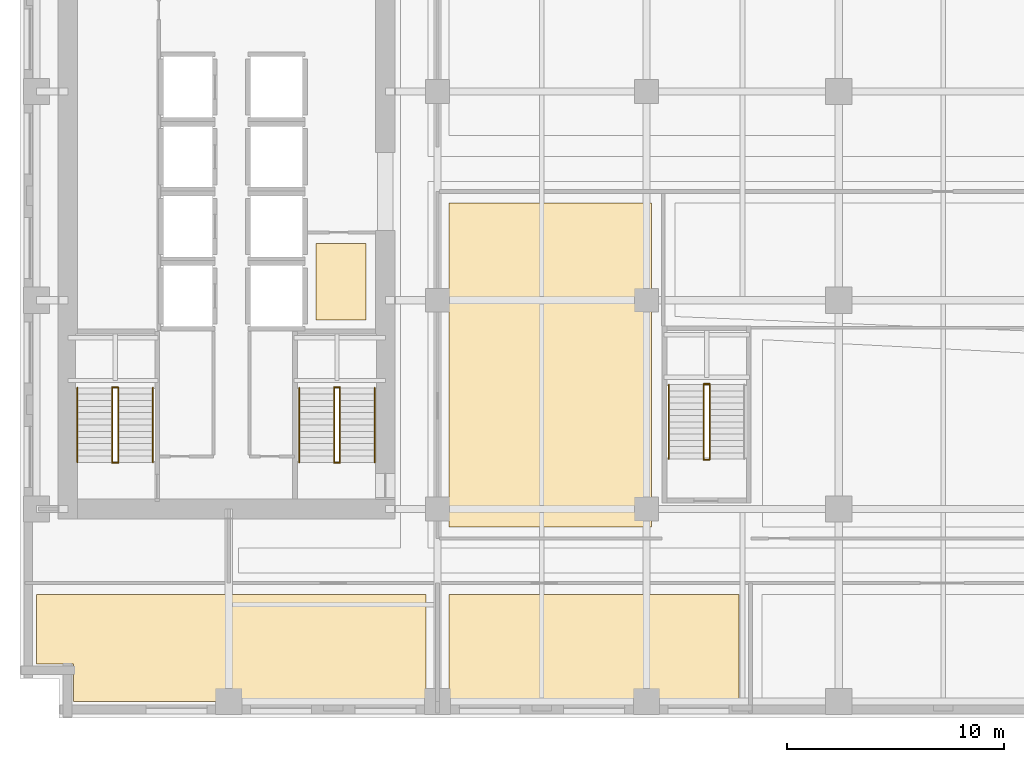
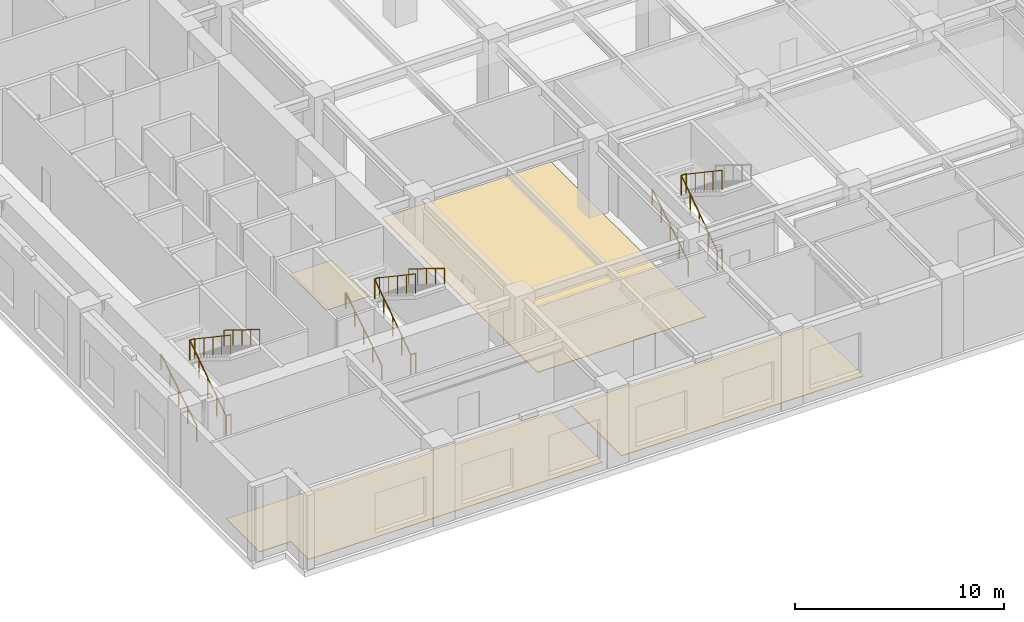
# One storey, part 17 of 21: 17 railings, 4 coverings.
"""IFC4 building model written with IfcOpenShell, lengths in metres."""

from ifc_helpers import new_model, si_unit, direction, frame, origin, origin_2d, place, context, subcontext, project, spatial, polyline, circle, outline, extrude, material, layer, layer_set, type_object, element, save


model = new_model("IFC4")

# Units and contexts
model_context = context("Model", 3, precision=1e-05, world=origin(), true_north=direction((0.0, 1.0)))
body_context = subcontext(model_context, "Body", "Model", "MODEL_VIEW")
ifc_project = project(units=[si_unit("LENGTHUNIT", "METRE"), si_unit("AREAUNIT", "SQUARE_METRE"), si_unit("VOLUMEUNIT", "CUBIC_METRE"), si_unit("PLANEANGLEUNIT", "RADIAN"), si_unit("MASSUNIT", "GRAM", prefix="KILO")], contexts=[model_context])

# Site, building, storey
site_placement = place(None, origin())
site = spatial("IfcSite", under=ifc_project, at=site_placement, CompositionType="ELEMENT")
building_placement = place(site_placement, origin())
building = spatial("IfcBuilding", under=site, at=building_placement, Name="Norrvale University Quadrangle", CompositionType="ELEMENT")
storey_placement = place(building_placement, frame((0.0, 0.0, 19.60009765625)))
storey = spatial("IfcBuildingStorey", under=building, at=storey_placement, Name="L04", CompositionType="ELEMENT", Elevation=19.60009765625)

# Coverings
ifc_material_1 = material(Name="Polished Terrazzo Flooring")
ifc_layer = layer(ifc_material_1, 0.02490234375, Name="Polished Terrazzo Flooring")
ifc_layer_set = layer_set([ifc_layer], Name="Polished Terrazzo Flooring")
covering_type = type_object("IfcCoveringType", Name="Covering Terrazzo Floor 30", PredefinedType="FLOORING", material=ifc_layer_set)
covering_1_placement = place(storey_placement, origin())
element("IfcCovering", 1, at=covering_1_placement, inside=storey, type_object=covering_type, Name="Terrazzo Flooring RM-L04-JAN", PredefinedType="FLOORING", context=body_context, shape_type="SweptSolid", body=[
    extrude(outline(polyline([(13.60009765625, 18.300048828125), (13.60009765625, 21.800048828125), (15.89990234375, 21.800048828125), (15.89990234375, 18.300048828125), (13.60009765625, 18.300048828125)])), origin(), (0.0, 0.0, 1.0), 0.02490234375),
])
covering_2_placement = place(storey_placement, origin())
element("IfcCovering", 2, at=covering_2_placement, inside=storey, type_object=covering_type, Name="Terrazzo Flooring RM-L04-S01", PredefinedType="FLOORING", context=body_context, shape_type="SweptSolid", body=[
    extrude(outline(polyline([(0.75, 5.669921875), (18.669921875, 5.669921875), (18.669921875, 0.75), (2.469970703125, 0.75), (2.469970703125, 2.469970703125), (0.75, 2.469970703125), (0.75, 5.669921875)])), origin(), (0.0, 0.0, 1.0), 0.02490234375),
])
covering_3_placement = place(storey_placement, origin())
element("IfcCovering", 3, at=covering_3_placement, inside=storey, type_object=covering_type, Name="Terrazzo Flooring RM-L04-S02", PredefinedType="FLOORING", context=body_context, shape_type="SweptSolid", body=[
    extrude(outline(polyline([(19.72998046875, 5.669921875), (33.070068359375, 5.669921875), (33.070068359375, 0.75), (19.72998046875, 0.75), (19.72998046875, 5.669921875)])), origin(), (0.0, 0.0, 1.0), 0.02490234375),
])
covering_4_placement = place(storey_placement, origin())
element("IfcCovering", 4, at=covering_4_placement, inside=storey, type_object=covering_type, Name="Terrazzo Flooring RM-L04-IW1", PredefinedType="FLOORING", context=body_context, shape_type="SweptSolid", body=[
    extrude(outline(polyline([(19.72998046875, 8.780029296875), (19.72998046875, 23.669921875), (29.050048828125, 23.669921875), (29.050048828125, 8.780029296875), (19.72998046875, 8.780029296875)])), origin(), (0.0, 0.0, 1.0), 0.02490234375),
])

# Railings
ifc_material_2 = material(Name="Steel 350W Painted Balustrade", Category="steel")
railing_type_1 = type_object("IfcRailingType", Name="Railing Stair Guard 1100", PredefinedType="GUARDRAIL", material=ifc_material_2)
for number, where, name in (
    (5, (4.239990234375, 11.719970703125, 0.0), "Stair Floor Well Guard ST-01 L04"),
    (6, (4.239990234375, 15.199951171875, 2.2998046875), "Stair Mid-Landing Slot Guard ST-01 L04"),
):
    element("IfcRailing", number, at=place(storey_placement, frame(where)), inside=storey, type_object=railing_type_1, Name=name, PredefinedType="GUARDRAIL", context=body_context, shape_type="SweptSolid", body=[
        extrude(circle(Radius=0.02392578125, at=origin_2d()), frame((0.0, 0.0, 1.1259765625), z_axis=(1.0, 0.0, 0.0), x_axis=(0.0, 1.0, 0.0)), (0.0, 0.0, 1.0), 0.27001953125),
        extrude(circle(Radius=0.02099609375, at=origin_2d()), origin(), (0.0, 0.0, 1.0), 1.101806640625),
        extrude(circle(Radius=0.02099609375, at=origin_2d()), frame((0.27001953125, 0.0, 0.0)), (0.0, 0.0, 1.0), 1.101806640625),
    ])
railing_1_placement = place(storey_placement, frame((4.239990234375, 11.75, 0.0)))
element("IfcRailing", 7, at=railing_1_placement, inside=storey, type_object=railing_type_1, Name="Stair Lower Flight Inner Guard ST-01 L04", PredefinedType="GUARDRAIL", context=body_context, shape_type="SweptSolid", body=[
    extrude(circle(Radius=0.02392578125, at=origin_2d()), frame((0.0, 0.0, 1.1259765625), z_axis=(0.0, 0.829819867432, 0.558031350029), x_axis=(-1.0, 0.0, 0.0)), (0.0, 0.0, 1.0), 4.121337890625),
    extrude(circle(Radius=0.02099609375, at=origin_2d()), origin(), (0.0, 0.0, 1.0), 1.101806640625),
    extrude(circle(Radius=0.02099609375, at=origin_2d()), frame((0.0, 0.85498046875, 0.574951171875)), (0.0, 0.0, 1.0), 1.101806640625),
    extrude(circle(Radius=0.02099609375, at=origin_2d()), frame((0.0, 1.7099609375, 1.14990234375)), (0.0, 0.0, 1.0), 1.101806640625),
    extrude(circle(Radius=0.02099609375, at=origin_2d()), frame((0.0, 2.56494140625, 1.724853515625)), (0.0, 0.0, 1.0), 1.101806640625),
    extrude(circle(Radius=0.02099609375, at=origin_2d()), frame((0.0, 3.419921875, 2.2998046875)), (0.0, 0.0, 1.0), 1.101806640625),
])
railing_2_placement = place(storey_placement, frame((4.510009765625, 15.169921875, 2.2998046875)))
element("IfcRailing", 8, at=railing_2_placement, inside=storey, type_object=railing_type_1, Name="Stair Upper Flight Inner Guard ST-01 L04", PredefinedType="GUARDRAIL", context=body_context, shape_type="SweptSolid", body=[
    extrude(circle(Radius=0.02392578125, at=origin_2d()), frame((0.0, 0.0, 1.1259765625), z_axis=(0.0, -0.8297924358, 0.55807214004), x_axis=(1.0, 0.0, 0.0)), (0.0, 0.0, 1.0), 4.121337890625),
    extrude(circle(Radius=0.02099609375, at=origin_2d()), origin(), (0.0, 0.0, 1.0), 1.101806640625),
    extrude(circle(Radius=0.02099609375, at=origin_2d()), frame((0.0, -0.85498046875, 0.574951171875)), (0.0, 0.0, 1.0), 1.101806640625),
    extrude(circle(Radius=0.02099609375, at=origin_2d()), frame((0.0, -1.7099609375, 1.14990234375)), (0.0, 0.0, 1.0), 1.101806640625),
    extrude(circle(Radius=0.02099609375, at=origin_2d()), frame((0.0, -2.56494140625, 1.72509765625)), (0.0, 0.0, 1.0), 1.101806640625),
    extrude(circle(Radius=0.02099609375, at=origin_2d()), frame((0.0, -3.419921875, 2.300048828125)), (0.0, 0.0, 1.0), 1.101806640625),
])
for number, where, name in (
    (9, (14.43994140625, 11.719970703125, 0.0), "Stair Floor Well Guard ST-03 L04"),
    (10, (14.43994140625, 15.199951171875, 2.2998046875), "Stair Mid-Landing Slot Guard ST-03 L04"),
):
    element("IfcRailing", number, at=place(storey_placement, frame(where)), inside=storey, type_object=railing_type_1, Name=name, PredefinedType="GUARDRAIL", context=body_context, shape_type="SweptSolid", body=[
        extrude(circle(Radius=0.02392578125, at=origin_2d()), frame((0.0, 0.0, 1.1259765625), z_axis=(1.0, 0.0, 0.0), x_axis=(0.0, 1.0, 0.0)), (0.0, 0.0, 1.0), 0.27001953125),
        extrude(circle(Radius=0.02099609375, at=origin_2d()), origin(), (0.0, 0.0, 1.0), 1.101806640625),
        extrude(circle(Radius=0.02099609375, at=origin_2d()), frame((0.27001953125, 0.0, 0.0)), (0.0, 0.0, 1.0), 1.101806640625),
    ])
railing_3_placement = place(storey_placement, frame((14.43994140625, 11.75, 0.0)))
element("IfcRailing", 11, at=railing_3_placement, inside=storey, type_object=railing_type_1, Name="Stair Lower Flight Inner Guard ST-03 L04", PredefinedType="GUARDRAIL", context=body_context, shape_type="SweptSolid", body=[
    extrude(circle(Radius=0.02392578125, at=origin_2d()), frame((0.0, 0.0, 1.1259765625), z_axis=(0.0, 0.829819867432, 0.558031350029), x_axis=(-1.0, 0.0, 0.0)), (0.0, 0.0, 1.0), 4.121337890625),
    extrude(circle(Radius=0.02099609375, at=origin_2d()), origin(), (0.0, 0.0, 1.0), 1.101806640625),
    extrude(circle(Radius=0.02099609375, at=origin_2d()), frame((0.0, 0.85498046875, 0.574951171875)), (0.0, 0.0, 1.0), 1.101806640625),
    extrude(circle(Radius=0.02099609375, at=origin_2d()), frame((0.0, 1.7099609375, 1.14990234375)), (0.0, 0.0, 1.0), 1.101806640625),
    extrude(circle(Radius=0.02099609375, at=origin_2d()), frame((0.0, 2.56494140625, 1.724853515625)), (0.0, 0.0, 1.0), 1.101806640625),
    extrude(circle(Radius=0.02099609375, at=origin_2d()), frame((0.0, 3.419921875, 2.2998046875)), (0.0, 0.0, 1.0), 1.101806640625),
])
railing_4_placement = place(storey_placement, frame((14.7099609375, 15.169921875, 2.2998046875)))
element("IfcRailing", 12, at=railing_4_placement, inside=storey, type_object=railing_type_1, Name="Stair Upper Flight Inner Guard ST-03 L04", PredefinedType="GUARDRAIL", context=body_context, shape_type="SweptSolid", body=[
    extrude(circle(Radius=0.02392578125, at=origin_2d()), frame((0.0, 0.0, 1.1259765625), z_axis=(0.0, -0.8297924358, 0.55807214004), x_axis=(1.0, 0.0, 0.0)), (0.0, 0.0, 1.0), 4.121337890625),
    extrude(circle(Radius=0.02099609375, at=origin_2d()), origin(), (0.0, 0.0, 1.0), 1.101806640625),
    extrude(circle(Radius=0.02099609375, at=origin_2d()), frame((0.0, -0.85498046875, 0.574951171875)), (0.0, 0.0, 1.0), 1.101806640625),
    extrude(circle(Radius=0.02099609375, at=origin_2d()), frame((0.0, -1.7099609375, 1.14990234375)), (0.0, 0.0, 1.0), 1.101806640625),
    extrude(circle(Radius=0.02099609375, at=origin_2d()), frame((0.0, -2.56494140625, 1.72509765625)), (0.0, 0.0, 1.0), 1.101806640625),
    extrude(circle(Radius=0.02099609375, at=origin_2d()), frame((0.0, -3.419921875, 2.300048828125)), (0.0, 0.0, 1.0), 1.101806640625),
])
for number, where, name in (
    (13, (31.43994140625, 11.8701171875, 0.0), "Stair Floor Well Guard ST-04 L04"),
    (14, (31.43994140625, 15.35009765625, 2.2998046875), "Stair Mid-Landing Slot Guard ST-04 L04"),
):
    element("IfcRailing", number, at=place(storey_placement, frame(where)), inside=storey, type_object=railing_type_1, Name=name, PredefinedType="GUARDRAIL", context=body_context, shape_type="SweptSolid", body=[
        extrude(circle(Radius=0.02392578125, at=origin_2d()), frame((0.0, 0.0, 1.1259765625), z_axis=(1.0, 0.0, 0.0), x_axis=(0.0, 1.0, 0.0)), (0.0, 0.0, 1.0), 0.27001953125),
        extrude(circle(Radius=0.02099609375, at=origin_2d()), origin(), (0.0, 0.0, 1.0), 1.101806640625),
        extrude(circle(Radius=0.02099609375, at=origin_2d()), frame((0.27001953125, 0.0, 0.0)), (0.0, 0.0, 1.0), 1.101806640625),
    ])
railing_5_placement = place(storey_placement, frame((31.43994140625, 11.89990234375, 0.0)))
element("IfcRailing", 15, at=railing_5_placement, inside=storey, type_object=railing_type_1, Name="Stair Lower Flight Inner Guard ST-04 L04", PredefinedType="GUARDRAIL", context=body_context, shape_type="SweptSolid", body=[
    extrude(circle(Radius=0.02392578125, at=origin_2d()), frame((0.0, 0.0, 1.1259765625), z_axis=(0.0, 0.829838313035, 0.558003919537), x_axis=(-1.0, 0.0, 0.0)), (0.0, 0.0, 1.0), 4.12158203125),
    extrude(circle(Radius=0.02099609375, at=origin_2d()), origin(), (0.0, 0.0, 1.0), 1.101806640625),
    extrude(circle(Radius=0.02099609375, at=origin_2d()), frame((0.0, 0.85498046875, 0.574951171875)), (0.0, 0.0, 1.0), 1.101806640625),
    extrude(circle(Radius=0.02099609375, at=origin_2d()), frame((0.0, 1.7099609375, 1.14990234375)), (0.0, 0.0, 1.0), 1.101806640625),
    extrude(circle(Radius=0.02099609375, at=origin_2d()), frame((0.0, 2.565185546875, 1.724853515625)), (0.0, 0.0, 1.0), 1.101806640625),
    extrude(circle(Radius=0.02099609375, at=origin_2d()), frame((0.0, 3.420166015625, 2.2998046875)), (0.0, 0.0, 1.0), 1.101806640625),
])
railing_6_placement = place(storey_placement, frame((31.7099609375, 15.320068359375, 2.2998046875)))
element("IfcRailing", 16, at=railing_6_placement, inside=storey, type_object=railing_type_1, Name="Stair Upper Flight Inner Guard ST-04 L04", PredefinedType="GUARDRAIL", context=body_context, shape_type="SweptSolid", body=[
    extrude(circle(Radius=0.02392578125, at=origin_2d()), frame((0.0, 0.0, 1.1259765625), z_axis=(0.0, -0.829810883491, 0.558044709356), x_axis=(1.0, 0.0, 0.0)), (0.0, 0.0, 1.0), 4.12158203125),
    extrude(circle(Radius=0.02099609375, at=origin_2d()), origin(), (0.0, 0.0, 1.0), 1.101806640625),
    extrude(circle(Radius=0.02099609375, at=origin_2d()), frame((0.0, -0.85498046875, 0.574951171875)), (0.0, 0.0, 1.0), 1.101806640625),
    extrude(circle(Radius=0.02099609375, at=origin_2d()), frame((0.0, -1.7099609375, 1.14990234375)), (0.0, 0.0, 1.0), 1.101806640625),
    extrude(circle(Radius=0.02099609375, at=origin_2d()), frame((0.0, -2.565185546875, 1.72509765625)), (0.0, 0.0, 1.0), 1.101806640625),
    extrude(circle(Radius=0.02099609375, at=origin_2d()), frame((0.0, -3.420166015625, 2.300048828125)), (0.0, 0.0, 1.0), 1.101806640625),
])
ifc_material_3 = material(Name="Stainless Steel 316L Handrail", Category="steel")
railing_type_2 = type_object("IfcRailingType", Name="Railing Stair Handrail 920", PredefinedType="HANDRAIL", material=ifc_material_3)
railing_7_placement = place(storey_placement, frame((2.639892578125, 11.75, 0.1767578125)))
element("IfcRailing", 17, at=railing_7_placement, inside=storey, type_object=railing_type_2, Name="Stair Lower Flight Handrail ST-01 L04", PredefinedType="HANDRAIL", context=body_context, shape_type="SweptSolid", body=[
    extrude(circle(Radius=0.02392578125, at=origin_2d()), frame((0.0, 0.0, 0.89599609375), z_axis=(0.0, 0.849602680019, 0.527423251388), x_axis=(-1.0, 0.0, 0.0)), (0.0, 0.0, 1.0), 4.025390625),
    extrude(circle(Radius=0.02099609375, at=origin_2d()), origin(), (0.0, 0.0, 1.0), 0.871826171875),
    extrude(circle(Radius=0.02099609375, at=origin_2d()), frame((0.0, 0.85498046875, 0.53076171875)), (0.0, 0.0, 1.0), 0.871826171875),
    extrude(circle(Radius=0.02099609375, at=origin_2d()), frame((0.0, 1.7099609375, 1.0615234375)), (0.0, 0.0, 1.0), 0.871826171875),
    extrude(circle(Radius=0.02099609375, at=origin_2d()), frame((0.0, 2.56494140625, 1.59228515625)), (0.0, 0.0, 1.0), 0.871826171875),
    extrude(circle(Radius=0.02099609375, at=origin_2d()), frame((0.0, 3.419921875, 2.123046875)), (0.0, 0.0, 1.0), 0.871826171875),
])
railing_8_placement = place(storey_placement, frame((6.110107421875, 15.169921875, 2.476806640625)))
element("IfcRailing", 18, at=railing_8_placement, inside=storey, type_object=railing_type_2, Name="Stair Upper Flight Handrail ST-01 L04", PredefinedType="HANDRAIL", context=body_context, shape_type="SweptSolid", body=[
    extrude(circle(Radius=0.02392578125, at=origin_2d()), frame((0.0, 0.0, 0.89599609375), z_axis=(0.0, -0.849602680019, 0.527423251388), x_axis=(1.0, 0.0, 0.0)), (0.0, 0.0, 1.0), 4.025390625),
    extrude(circle(Radius=0.02099609375, at=origin_2d()), origin(), (0.0, 0.0, 1.0), 0.871826171875),
    extrude(circle(Radius=0.02099609375, at=origin_2d()), frame((0.0, -0.85498046875, 0.53076171875)), (0.0, 0.0, 1.0), 0.871826171875),
    extrude(circle(Radius=0.02099609375, at=origin_2d()), frame((0.0, -1.7099609375, 1.0615234375)), (0.0, 0.0, 1.0), 0.871826171875),
    extrude(circle(Radius=0.02099609375, at=origin_2d()), frame((0.0, -2.56494140625, 1.59228515625)), (0.0, 0.0, 1.0), 0.871826171875),
    extrude(circle(Radius=0.02099609375, at=origin_2d()), frame((0.0, -3.419921875, 2.123046875)), (0.0, 0.0, 1.0), 0.871826171875),
])
railing_9_placement = place(storey_placement, frame((12.840087890625, 11.75, 0.1767578125)))
element("IfcRailing", 19, at=railing_9_placement, inside=storey, type_object=railing_type_2, Name="Stair Lower Flight Handrail ST-03 L04", PredefinedType="HANDRAIL", context=body_context, shape_type="SweptSolid", body=[
    extrude(circle(Radius=0.02392578125, at=origin_2d()), frame((0.0, 0.0, 0.89599609375), z_axis=(0.0, 0.849602680019, 0.527423251388), x_axis=(-1.0, 0.0, 0.0)), (0.0, 0.0, 1.0), 4.025390625),
    extrude(circle(Radius=0.02099609375, at=origin_2d()), origin(), (0.0, 0.0, 1.0), 0.871826171875),
    extrude(circle(Radius=0.02099609375, at=origin_2d()), frame((0.0, 0.85498046875, 0.53076171875)), (0.0, 0.0, 1.0), 0.871826171875),
    extrude(circle(Radius=0.02099609375, at=origin_2d()), frame((0.0, 1.7099609375, 1.0615234375)), (0.0, 0.0, 1.0), 0.871826171875),
    extrude(circle(Radius=0.02099609375, at=origin_2d()), frame((0.0, 2.56494140625, 1.59228515625)), (0.0, 0.0, 1.0), 0.871826171875),
    extrude(circle(Radius=0.02099609375, at=origin_2d()), frame((0.0, 3.419921875, 2.123046875)), (0.0, 0.0, 1.0), 0.871826171875),
])
railing_10_placement = place(storey_placement, frame((16.31005859375, 15.169921875, 2.476806640625)))
element("IfcRailing", 20, at=railing_10_placement, inside=storey, type_object=railing_type_2, Name="Stair Upper Flight Handrail ST-03 L04", PredefinedType="HANDRAIL", context=body_context, shape_type="SweptSolid", body=[
    extrude(circle(Radius=0.02392578125, at=origin_2d()), frame((0.0, 0.0, 0.89599609375), z_axis=(0.0, -0.849602680019, 0.527423251388), x_axis=(1.0, 0.0, 0.0)), (0.0, 0.0, 1.0), 4.025390625),
    extrude(circle(Radius=0.02099609375, at=origin_2d()), origin(), (0.0, 0.0, 1.0), 0.871826171875),
    extrude(circle(Radius=0.02099609375, at=origin_2d()), frame((0.0, -0.85498046875, 0.53076171875)), (0.0, 0.0, 1.0), 0.871826171875),
    extrude(circle(Radius=0.02099609375, at=origin_2d()), frame((0.0, -1.7099609375, 1.0615234375)), (0.0, 0.0, 1.0), 0.871826171875),
    extrude(circle(Radius=0.02099609375, at=origin_2d()), frame((0.0, -2.56494140625, 1.59228515625)), (0.0, 0.0, 1.0), 0.871826171875),
    extrude(circle(Radius=0.02099609375, at=origin_2d()), frame((0.0, -3.419921875, 2.123046875)), (0.0, 0.0, 1.0), 0.871826171875),
])
railing_11_placement = place(storey_placement, frame((29.840087890625, 11.89990234375, 0.1767578125)))
element("IfcRailing", 21, at=railing_11_placement, inside=storey, type_object=railing_type_2, Name="Stair Lower Flight Handrail ST-04 L04", PredefinedType="HANDRAIL", context=body_context, shape_type="SweptSolid", body=[
    extrude(circle(Radius=0.02392578125, at=origin_2d()), frame((0.0, 0.0, 0.89599609375), z_axis=(0.0, 0.849619550393, 0.527396074682), x_axis=(-1.0, 0.0, 0.0)), (0.0, 0.0, 1.0), 4.025634765625),
    extrude(circle(Radius=0.02099609375, at=origin_2d()), origin(), (0.0, 0.0, 1.0), 0.871826171875),
    extrude(circle(Radius=0.02099609375, at=origin_2d()), frame((0.0, 0.85498046875, 0.53076171875)), (0.0, 0.0, 1.0), 0.871826171875),
    extrude(circle(Radius=0.02099609375, at=origin_2d()), frame((0.0, 1.7099609375, 1.0615234375)), (0.0, 0.0, 1.0), 0.871826171875),
    extrude(circle(Radius=0.02099609375, at=origin_2d()), frame((0.0, 2.565185546875, 1.59228515625)), (0.0, 0.0, 1.0), 0.871826171875),
    extrude(circle(Radius=0.02099609375, at=origin_2d()), frame((0.0, 3.420166015625, 2.123046875)), (0.0, 0.0, 1.0), 0.871826171875),
])

save(model, "model.ifc")
